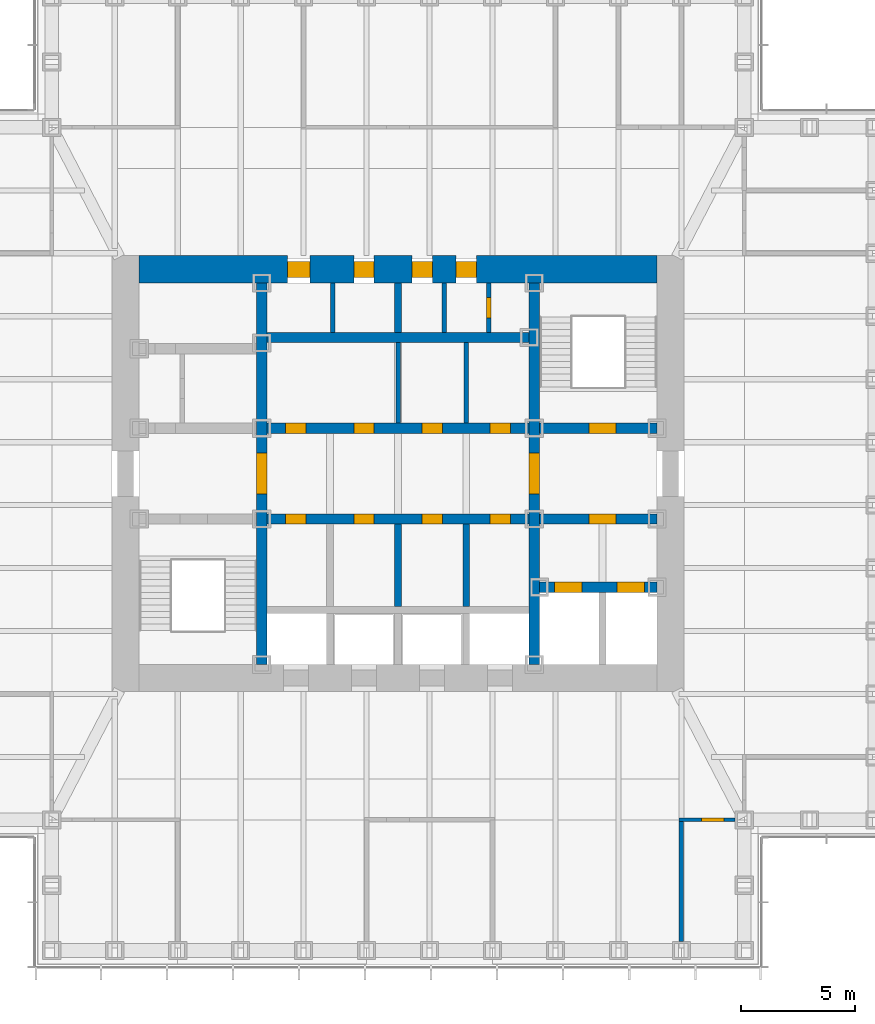
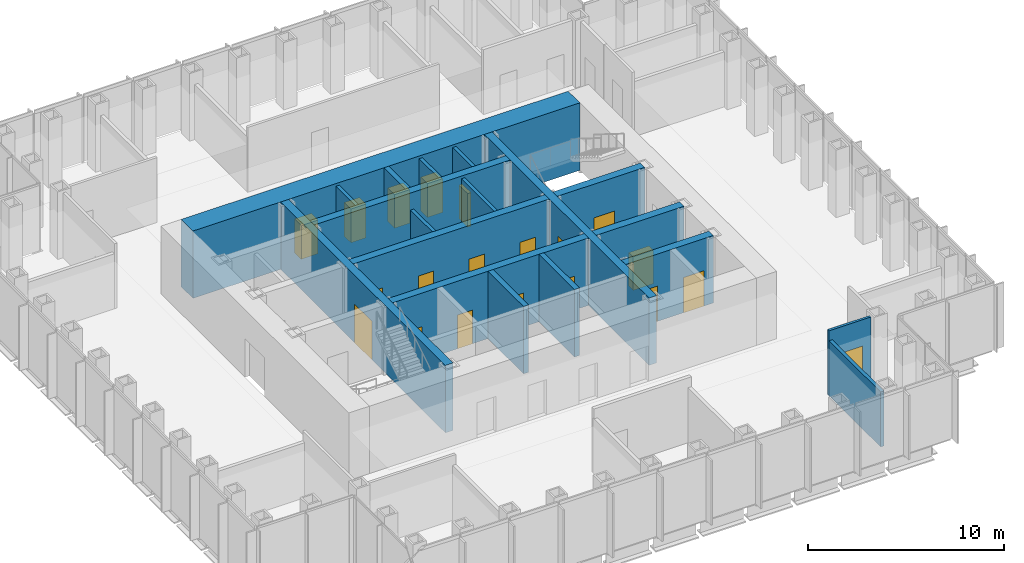
# One storey, part 9 of 16: 20 doors, 19 walls, 20 openings.
"""IFC4 building model written with IfcOpenShell, lengths in metres."""

from ifc_helpers import new_model, si_unit, direction, frame, frame_2d, origin, place, context, subcontext, project, spatial, rectangle, extrude, material, layer, layer_set, type_object, element, fill, save


model = new_model("IFC4")

# Units and contexts
model_context = context("Model", 3, precision=1e-05, world=origin(), true_north=direction((0.0, 1.0)))
body_context = subcontext(model_context, "Body", "Model", "MODEL_VIEW")
ifc_project = project(units=[si_unit("LENGTHUNIT", "METRE"), si_unit("AREAUNIT", "SQUARE_METRE"), si_unit("VOLUMEUNIT", "CUBIC_METRE"), si_unit("PLANEANGLEUNIT", "RADIAN"), si_unit("MASSUNIT", "GRAM", prefix="KILO")], contexts=[model_context])

# Site, building, storey
site_placement = place(None, origin())
site = spatial("IfcSite", under=ifc_project, at=site_placement, CompositionType="ELEMENT")
building_placement = place(site_placement, origin())
building = spatial("IfcBuilding", under=site, at=building_placement, Name="Daluyong Arena Tower", CompositionType="ELEMENT")
storey_placement = place(building_placement, frame((0.0, 0.0, 254.5)))
storey = spatial("IfcBuildingStorey", under=building, at=storey_placement, Name="L57", CompositionType="ELEMENT", Elevation=254.5)

# Wall, opening, door
ifc_material_1 = material(Name="Concrete fc' 45 MPa", Category="concrete")
ifc_layer_1 = layer(ifc_material_1, 0.449951171875)
ifc_layer_set_1 = layer_set([ifc_layer_1], Name="Concrete fc' 45 MPa")
wall_type_1 = type_object("IfcWallType", Name="Core inner wall 450", PredefinedType="SHEAR", material=ifc_layer_set_1)
wall_1_placement = place(storey_placement, frame((50.0, 71.60009765625, 0.0), z_axis=(0.0, 0.0, 1.0), x_axis=(0.0, 1.0, 0.0)))
wall_1 = element("IfcWall", 1, at=wall_1_placement, inside=storey, type_object=wall_type_1, Name="core inner wall at L57", PredefinedType="SHEAR", context=body_context, shape_type="SweptSolid", body=[
    extrude(rectangle(XDim=16.7998046875, YDim=0.449951171875, at=frame_2d((8.39990234375, 0.0))), origin(), (0.0, 0.0, 1.0), 4.199951171875),
])
opening_1_placement = place(wall_1_placement, frame((7.5, 0.0, 0.0)))
opening_1 = element("IfcOpeningElement", 2, at=opening_1_placement, cuts=wall_1, Name="Opening 57021", PredefinedType="OPENING", context=body_context, shape_type="SweptSolid", body=[
    extrude(rectangle(XDim=1.800048828125, YDim=2.39990234375, at=frame_2d((0.89990234375, 1.199951171875))), frame((0.0, 0.23486328125, 0.0), z_axis=(0.0, -1.0, 0.0), x_axis=(1.0, 0.0, 0.0)), (0.0, 0.0, 1.0), 0.469970703125),
])
ifc_material_2 = material(Name="Steel door, fire rated", Category="steel")
door_type_1 = type_object("IfcDoorType", Name="Lift lobby opening door 1800", OperationType="DOUBLE_DOOR_SINGLE_SWING", PredefinedType="DOOR", material=ifc_material_2)
door_1_placement = place(opening_1_placement, origin())
door_1 = element("IfcDoor", 3, at=door_1_placement, inside=storey, type_object=door_type_1, Name="lift lobby door west 57021", OperationType="DOUBLE_DOOR_SINGLE_SWING", OverallHeight=2.39990234375, OverallWidth=1.800048828125, PredefinedType="DOOR", context=body_context, shape_type="SweptSolid", body=[
    extrude(rectangle(XDim=1.800048828125, YDim=2.39990234375, at=frame_2d((0.89990234375, 1.199951171875))), frame((0.0, 0.224609375, 0.0), z_axis=(0.0, -1.0, 0.0), x_axis=(1.0, 0.0, 0.0)), (0.0, 0.0, 1.0), 0.449462890625),
])
fill(opening_1, door_1)

wall_2_placement = place(storey_placement, frame((62.0, 71.60009765625, 0.0), z_axis=(0.0, 0.0, 1.0), x_axis=(0.0, 1.0, 0.0)))
wall_2 = element("IfcWall", 4, at=wall_2_placement, inside=storey, type_object=wall_type_1, Name="core inner wall at L57", PredefinedType="SHEAR", context=body_context, shape_type="SweptSolid", body=[
    extrude(rectangle(XDim=16.7998046875, YDim=0.449951171875, at=frame_2d((8.39990234375, 0.0))), origin(), (0.0, 0.0, 1.0), 4.199951171875),
])
opening_2_placement = place(wall_2_placement, frame((7.5, 0.0, 0.0)))
opening_2 = element("IfcOpeningElement", 5, at=opening_2_placement, cuts=wall_2, Name="Opening 57022", PredefinedType="OPENING", context=body_context, shape_type="SweptSolid", body=[
    extrude(rectangle(XDim=1.800048828125, YDim=2.39990234375, at=frame_2d((0.89990234375, 1.199951171875))), frame((0.0, 0.23486328125, 0.0), z_axis=(0.0, -1.0, 0.0), x_axis=(1.0, 0.0, 0.0)), (0.0, 0.0, 1.0), 0.469970703125),
])
door_2_placement = place(opening_2_placement, origin())
door_2 = element("IfcDoor", 6, at=door_2_placement, inside=storey, type_object=door_type_1, Name="lift lobby door east 57022", OperationType="DOUBLE_DOOR_SINGLE_SWING", OverallHeight=2.39990234375, OverallWidth=1.800048828125, PredefinedType="DOOR", context=body_context, shape_type="SweptSolid", body=[
    extrude(rectangle(XDim=1.800048828125, YDim=2.39990234375, at=frame_2d((0.89990234375, 1.199951171875))), frame((0.0, 0.224609375, 0.0), z_axis=(0.0, -1.0, 0.0), x_axis=(1.0, 0.0, 0.0)), (0.0, 0.0, 1.0), 0.449462890625),
])
fill(opening_2, door_2)

# Wall, openings, doors
wall_3_placement = place(storey_placement, frame((62.22509765625, 75.0, 0.0), z_axis=(0.0, 0.0, 1.0), x_axis=(1.0, 0.0, 0.0)))
wall_3 = element("IfcWall", 7, at=wall_3_placement, inside=storey, type_object=wall_type_1, Name="core inner wall at L57", PredefinedType="SHEAR", context=body_context, shape_type="SweptSolid", body=[
    extrude(rectangle(XDim=5.1748046875, YDim=0.449951171875, at=frame_2d((2.58740234375, 0.0))), origin(), (0.0, 0.0, 1.0), 4.199951171875),
])
opening_3_placement = place(wall_3_placement, frame((0.675048828125, 0.0, 0.0)))
opening_3 = element("IfcOpeningElement", 8, at=opening_3_placement, cuts=wall_3, Name="Opening 57028", PredefinedType="OPENING", context=body_context, shape_type="SweptSolid", body=[
    extrude(rectangle(XDim=1.199951171875, YDim=2.199951171875, at=frame_2d((0.60009765625, 1.10009765625))), frame((0.0, 0.23486328125, 0.0), z_axis=(0.0, -1.0, 0.0), x_axis=(1.0, 0.0, 0.0)), (0.0, 0.0, 1.0), 0.469970703125),
])
opening_4_placement = place(wall_3_placement, frame((3.425048828125, 0.0, 0.0)))
opening_4 = element("IfcOpeningElement", 9, at=opening_4_placement, cuts=wall_3, Name="Opening 57029", PredefinedType="OPENING", context=body_context, shape_type="SweptSolid", body=[
    extrude(rectangle(XDim=1.199951171875, YDim=2.199951171875, at=frame_2d((0.60009765625, 1.10009765625))), frame((0.0, 0.23486328125, 0.0), z_axis=(0.0, -1.0, 0.0), x_axis=(1.0, 0.0, 0.0)), (0.0, 0.0, 1.0), 0.469970703125),
])
ifc_material_3 = material(Name="Steel door, fire rated", Category="steel")
door_type_2 = type_object("IfcDoorType", Name="Firefighting lift landing door 1200", OperationType="SLIDING_TO_LEFT", PredefinedType="DOOR", material=ifc_material_3)
door_3_placement = place(opening_3_placement, origin())
door_3 = element("IfcDoor", 10, at=door_3_placement, inside=storey, type_object=door_type_2, Name="firefighting lift landing door F1 57028", OperationType="SLIDING_TO_LEFT", OverallHeight=2.199951171875, OverallWidth=1.199951171875, PredefinedType="DOOR", context=body_context, shape_type="SweptSolid", body=[
    extrude(rectangle(XDim=1.199951171875, YDim=2.199951171875, at=frame_2d((0.60009765625, 1.10009765625))), frame((0.0, 0.224609375, 0.0), z_axis=(0.0, -1.0, 0.0), x_axis=(1.0, 0.0, 0.0)), (0.0, 0.0, 1.0), 0.449462890625),
])
fill(opening_3, door_3)
door_4_placement = place(opening_4_placement, origin())
door_4 = element("IfcDoor", 11, at=door_4_placement, inside=storey, type_object=door_type_2, Name="firefighting lift landing door F2 57029", OperationType="SLIDING_TO_LEFT", OverallHeight=2.199951171875, OverallWidth=1.199951171875, PredefinedType="DOOR", context=body_context, shape_type="SweptSolid", body=[
    extrude(rectangle(XDim=1.199951171875, YDim=2.199951171875, at=frame_2d((0.60009765625, 1.10009765625))), frame((0.0, 0.224609375, 0.0), z_axis=(0.0, -1.0, 0.0), x_axis=(1.0, 0.0, 0.0)), (0.0, 0.0, 1.0), 0.449462890625),
])
fill(opening_4, door_4)

# Wall, opening, door
wall_4_placement = place(storey_placement, frame((62.22509765625, 78.0, 0.0), z_axis=(0.0, 0.0, 1.0), x_axis=(1.0, 0.0, 0.0)))
wall_4 = element("IfcWall", 12, at=wall_4_placement, inside=storey, type_object=wall_type_1, Name="core inner wall at L57", PredefinedType="SHEAR", context=body_context, shape_type="SweptSolid", body=[
    extrude(rectangle(XDim=5.1748046875, YDim=0.449951171875, at=frame_2d((2.58740234375, 0.0))), origin(), (0.0, 0.0, 1.0), 4.199951171875),
])
opening_5_placement = place(wall_4_placement, frame((2.175048828125, 0.0, 0.0)))
opening_5 = element("IfcOpeningElement", 13, at=opening_5_placement, cuts=wall_4, Name="Opening 57023", PredefinedType="OPENING", context=body_context, shape_type="SweptSolid", body=[
    extrude(rectangle(XDim=1.199951171875, YDim=2.10009765625, at=frame_2d((0.60009765625, 1.050048828125))), frame((0.0, 0.23486328125, 0.0), z_axis=(0.0, -1.0, 0.0), x_axis=(1.0, 0.0, 0.0)), (0.0, 0.0, 1.0), 0.469970703125),
])
ifc_material_4 = material(Name="Steel door, fire rated", Category="steel")
door_type_3 = type_object("IfcDoorType", Name="Firefighting lobby door 1200", OperationType="SINGLE_SWING_RIGHT", PredefinedType="DOOR", material=ifc_material_4)
door_5_placement = place(opening_5_placement, origin())
door_5 = element("IfcDoor", 14, at=door_5_placement, inside=storey, type_object=door_type_3, Name="firefighting lobby door 57023", OperationType="SINGLE_SWING_RIGHT", OverallHeight=2.10009765625, OverallWidth=1.199951171875, PredefinedType="DOOR", context=body_context, shape_type="SweptSolid", body=[
    extrude(rectangle(XDim=1.199951171875, YDim=2.10009765625, at=frame_2d((0.60009765625, 1.050048828125))), frame((0.0, 0.224609375, 0.0), z_axis=(0.0, -1.0, 0.0), x_axis=(1.0, 0.0, 0.0)), (0.0, 0.0, 1.0), 0.449462890625),
])
fill(opening_5, door_5)

wall_5_placement = place(storey_placement, frame((62.22509765625, 82.0, 0.0), z_axis=(0.0, 0.0, 1.0), x_axis=(1.0, 0.0, 0.0)))
wall_5 = element("IfcWall", 15, at=wall_5_placement, inside=storey, type_object=wall_type_1, Name="core inner wall at L57", PredefinedType="SHEAR", context=body_context, shape_type="SweptSolid", body=[
    extrude(rectangle(XDim=5.1748046875, YDim=0.449951171875, at=frame_2d((2.58740234375, 0.0))), origin(), (0.0, 0.0, 1.0), 4.199951171875),
])
opening_6_placement = place(wall_5_placement, frame((2.175048828125, 0.0, 0.0)))
opening_6 = element("IfcOpeningElement", 16, at=opening_6_placement, cuts=wall_5, Name="Opening 57018", PredefinedType="OPENING", context=body_context, shape_type="SweptSolid", body=[
    extrude(rectangle(XDim=1.199951171875, YDim=2.10009765625, at=frame_2d((0.60009765625, 1.050048828125))), frame((0.0, 0.23486328125, 0.0), z_axis=(0.0, -1.0, 0.0), x_axis=(1.0, 0.0, 0.0)), (0.0, 0.0, 1.0), 0.469970703125),
])
ifc_material_5 = material(Name="Steel door, fire rated", Category="steel")
door_type_4 = type_object("IfcDoorType", Name="Stair door 1200", OperationType="SINGLE_SWING_LEFT", PredefinedType="DOOR", material=ifc_material_5)
door_6_placement = place(opening_6_placement, origin())
door_6 = element("IfcDoor", 17, at=door_6_placement, inside=storey, type_object=door_type_4, Name="stair B door 57018", OperationType="SINGLE_SWING_LEFT", OverallHeight=2.10009765625, OverallWidth=1.199951171875, PredefinedType="DOOR", context=body_context, shape_type="SweptSolid", body=[
    extrude(rectangle(XDim=1.199951171875, YDim=2.10009765625, at=frame_2d((0.60009765625, 1.050048828125))), frame((0.0, 0.224609375, 0.0), z_axis=(0.0, -1.0, 0.0), x_axis=(1.0, 0.0, 0.0)), (0.0, 0.0, 1.0), 0.449462890625),
])
fill(opening_6, door_6)

# Wall, openings, doors
wall_6_placement = place(storey_placement, frame((50.22509765625, 78.0, 0.0), z_axis=(0.0, 0.0, 1.0), x_axis=(1.0, 0.0, 0.0)))
wall_6 = element("IfcWall", 18, at=wall_6_placement, inside=storey, type_object=wall_type_1, Name="core inner wall at L57", PredefinedType="SHEAR", context=body_context, shape_type="SweptSolid", body=[
    extrude(rectangle(XDim=11.5498046875, YDim=0.449951171875, at=frame_2d((5.77490234375, 0.0))), origin(), (0.0, 0.0, 1.0), 4.199951171875),
])
opening_7_placement = place(wall_6_placement, frame((0.824951171875, 0.0, 0.0)))
opening_7 = element("IfcOpeningElement", 19, at=opening_7_placement, cuts=wall_6, Name="Opening 57009", PredefinedType="OPENING", context=body_context, shape_type="SweptSolid", body=[
    extrude(rectangle(XDim=0.89990234375, YDim=2.10009765625, at=frame_2d((0.449951171875, 1.050048828125))), frame((0.0, 0.23486328125, 0.0), z_axis=(0.0, -1.0, 0.0), x_axis=(1.0, 0.0, 0.0)), (0.0, 0.0, 1.0), 0.469970703125),
])
opening_8_placement = place(wall_6_placement, frame((3.824951171875, 0.0, 0.0)))
opening_8 = element("IfcOpeningElement", 20, at=opening_8_placement, cuts=wall_6, Name="Opening 57010", PredefinedType="OPENING", context=body_context, shape_type="SweptSolid", body=[
    extrude(rectangle(XDim=0.89990234375, YDim=2.10009765625, at=frame_2d((0.449951171875, 1.050048828125))), frame((0.0, 0.23486328125, 0.0), z_axis=(0.0, -1.0, 0.0), x_axis=(1.0, 0.0, 0.0)), (0.0, 0.0, 1.0), 0.469970703125),
])
opening_9_placement = place(wall_6_placement, frame((6.824951171875, 0.0, 0.0)))
opening_9 = element("IfcOpeningElement", 21, at=opening_9_placement, cuts=wall_6, Name="Opening 57011", PredefinedType="OPENING", context=body_context, shape_type="SweptSolid", body=[
    extrude(rectangle(XDim=0.89990234375, YDim=2.10009765625, at=frame_2d((0.449951171875, 1.050048828125))), frame((0.0, 0.23486328125, 0.0), z_axis=(0.0, -1.0, 0.0), x_axis=(1.0, 0.0, 0.0)), (0.0, 0.0, 1.0), 0.469970703125),
])
opening_10_placement = place(wall_6_placement, frame((9.824951171875, 0.0, 0.0)))
opening_10 = element("IfcOpeningElement", 22, at=opening_10_placement, cuts=wall_6, Name="Opening 57012", PredefinedType="OPENING", context=body_context, shape_type="SweptSolid", body=[
    extrude(rectangle(XDim=0.89990234375, YDim=2.10009765625, at=frame_2d((0.449951171875, 1.050048828125))), frame((0.0, 0.23486328125, 0.0), z_axis=(0.0, -1.0, 0.0), x_axis=(1.0, 0.0, 0.0)), (0.0, 0.0, 1.0), 0.469970703125),
])
ifc_material_6 = material(Name="Steel door, fire rated", Category="steel")
door_type_5 = type_object("IfcDoorType", Name="Core room door 900", OperationType="SINGLE_SWING_LEFT", PredefinedType="DOOR", material=ifc_material_6)
door_7_placement = place(opening_8_placement, origin())
door_7 = element("IfcDoor", 23, at=door_7_placement, inside=storey, type_object=door_type_5, Name="staff pantry door 57010", OperationType="SINGLE_SWING_LEFT", OverallHeight=2.10009765625, OverallWidth=0.89990234375, PredefinedType="DOOR", context=body_context, shape_type="SweptSolid", body=[
    extrude(rectangle(XDim=0.89990234375, YDim=2.10009765625, at=frame_2d((0.449951171875, 1.050048828125))), frame((0.0, 0.224609375, 0.0), z_axis=(0.0, -1.0, 0.0), x_axis=(1.0, 0.0, 0.0)), (0.0, 0.0, 1.0), 0.449462890625),
])
fill(opening_8, door_7)
door_8_placement = place(opening_9_placement, origin())
door_8 = element("IfcDoor", 24, at=door_8_placement, inside=storey, type_object=door_type_5, Name="tea point door 57011", OperationType="SINGLE_SWING_LEFT", OverallHeight=2.10009765625, OverallWidth=0.89990234375, PredefinedType="DOOR", context=body_context, shape_type="SweptSolid", body=[
    extrude(rectangle(XDim=0.89990234375, YDim=2.10009765625, at=frame_2d((0.449951171875, 1.050048828125))), frame((0.0, 0.224609375, 0.0), z_axis=(0.0, -1.0, 0.0), x_axis=(1.0, 0.0, 0.0)), (0.0, 0.0, 1.0), 0.449462890625),
])
fill(opening_9, door_8)
ifc_material_7 = material(Name="Steel door, fire rated", Category="steel")
door_type_6 = type_object("IfcDoorType", Name="Core store door 900", OperationType="SINGLE_SWING_LEFT", PredefinedType="DOOR", material=ifc_material_7)
door_9_placement = place(opening_7_placement, origin())
door_9 = element("IfcDoor", 25, at=door_9_placement, inside=storey, type_object=door_type_6, Name="stationery store door 57009", OperationType="SINGLE_SWING_LEFT", OverallHeight=2.10009765625, OverallWidth=0.89990234375, PredefinedType="DOOR", context=body_context, shape_type="SweptSolid", body=[
    extrude(rectangle(XDim=0.89990234375, YDim=2.10009765625, at=frame_2d((0.449951171875, 1.050048828125))), frame((0.0, 0.224609375, 0.0), z_axis=(0.0, -1.0, 0.0), x_axis=(1.0, 0.0, 0.0)), (0.0, 0.0, 1.0), 0.449462890625),
])
fill(opening_7, door_9)
door_10_placement = place(opening_10_placement, origin())
door_10 = element("IfcDoor", 26, at=door_10_placement, inside=storey, type_object=door_type_6, Name="furniture store door 57012", OperationType="SINGLE_SWING_LEFT", OverallHeight=2.10009765625, OverallWidth=0.89990234375, PredefinedType="DOOR", context=body_context, shape_type="SweptSolid", body=[
    extrude(rectangle(XDim=0.89990234375, YDim=2.10009765625, at=frame_2d((0.449951171875, 1.050048828125))), frame((0.0, 0.224609375, 0.0), z_axis=(0.0, -1.0, 0.0), x_axis=(1.0, 0.0, 0.0)), (0.0, 0.0, 1.0), 0.449462890625),
])
fill(opening_10, door_10)

wall_7_placement = place(storey_placement, frame((50.22509765625, 82.0, 0.0), z_axis=(0.0, 0.0, 1.0), x_axis=(1.0, 0.0, 0.0)))
wall_7 = element("IfcWall", 27, at=wall_7_placement, inside=storey, type_object=wall_type_1, Name="core inner wall at L57", PredefinedType="SHEAR", context=body_context, shape_type="SweptSolid", body=[
    extrude(rectangle(XDim=11.5498046875, YDim=0.449951171875, at=frame_2d((5.77490234375, 0.0))), origin(), (0.0, 0.0, 1.0), 4.199951171875),
])
opening_11_placement = place(wall_7_placement, frame((0.824951171875, 0.0, 0.0)))
opening_11 = element("IfcOpeningElement", 28, at=opening_11_placement, cuts=wall_7, Name="Opening 57013", PredefinedType="OPENING", context=body_context, shape_type="SweptSolid", body=[
    extrude(rectangle(XDim=0.89990234375, YDim=2.10009765625, at=frame_2d((0.449951171875, 1.050048828125))), frame((0.0, 0.23486328125, 0.0), z_axis=(0.0, -1.0, 0.0), x_axis=(1.0, 0.0, 0.0)), (0.0, 0.0, 1.0), 0.469970703125),
])
opening_12_placement = place(wall_7_placement, frame((3.824951171875, 0.0, 0.0)))
opening_12 = element("IfcOpeningElement", 29, at=opening_12_placement, cuts=wall_7, Name="Opening 57014", PredefinedType="OPENING", context=body_context, shape_type="SweptSolid", body=[
    extrude(rectangle(XDim=0.89990234375, YDim=2.10009765625, at=frame_2d((0.449951171875, 1.050048828125))), frame((0.0, 0.23486328125, 0.0), z_axis=(0.0, -1.0, 0.0), x_axis=(1.0, 0.0, 0.0)), (0.0, 0.0, 1.0), 0.469970703125),
])
opening_13_placement = place(wall_7_placement, frame((6.824951171875, 0.0, 0.0)))
opening_13 = element("IfcOpeningElement", 30, at=opening_13_placement, cuts=wall_7, Name="Opening 57015", PredefinedType="OPENING", context=body_context, shape_type="SweptSolid", body=[
    extrude(rectangle(XDim=0.89990234375, YDim=2.10009765625, at=frame_2d((0.449951171875, 1.050048828125))), frame((0.0, 0.23486328125, 0.0), z_axis=(0.0, -1.0, 0.0), x_axis=(1.0, 0.0, 0.0)), (0.0, 0.0, 1.0), 0.469970703125),
])
opening_14_placement = place(wall_7_placement, frame((9.824951171875, 0.0, 0.0)))
opening_14 = element("IfcOpeningElement", 31, at=opening_14_placement, cuts=wall_7, Name="Opening 57016", PredefinedType="OPENING", context=body_context, shape_type="SweptSolid", body=[
    extrude(rectangle(XDim=0.89990234375, YDim=2.10009765625, at=frame_2d((0.449951171875, 1.050048828125))), frame((0.0, 0.23486328125, 0.0), z_axis=(0.0, -1.0, 0.0), x_axis=(1.0, 0.0, 0.0)), (0.0, 0.0, 1.0), 0.469970703125),
])
door_11_placement = place(opening_11_placement, origin())
door_11 = element("IfcDoor", 32, at=door_11_placement, inside=storey, type_object=door_type_5, Name="print room door 57013", OperationType="SINGLE_SWING_LEFT", OverallHeight=2.10009765625, OverallWidth=0.89990234375, PredefinedType="DOOR", context=body_context, shape_type="SweptSolid", body=[
    extrude(rectangle(XDim=0.89990234375, YDim=2.10009765625, at=frame_2d((0.449951171875, 1.050048828125))), frame((0.0, 0.224609375, 0.0), z_axis=(0.0, -1.0, 0.0), x_axis=(1.0, 0.0, 0.0)), (0.0, 0.0, 1.0), 0.449462890625),
])
fill(opening_11, door_11)
door_12_placement = place(opening_12_placement, origin())
door_12 = element("IfcDoor", 33, at=door_12_placement, inside=storey, type_object=door_type_5, Name="print room door 57014", OperationType="SINGLE_SWING_LEFT", OverallHeight=2.10009765625, OverallWidth=0.89990234375, PredefinedType="DOOR", context=body_context, shape_type="SweptSolid", body=[
    extrude(rectangle(XDim=0.89990234375, YDim=2.10009765625, at=frame_2d((0.449951171875, 1.050048828125))), frame((0.0, 0.224609375, 0.0), z_axis=(0.0, -1.0, 0.0), x_axis=(1.0, 0.0, 0.0)), (0.0, 0.0, 1.0), 0.449462890625),
])
fill(opening_12, door_12)
door_13_placement = place(opening_14_placement, origin())
door_13 = element("IfcDoor", 34, at=door_13_placement, inside=storey, type_object=door_type_5, Name="mail room door 57016", OperationType="SINGLE_SWING_LEFT", OverallHeight=2.10009765625, OverallWidth=0.89990234375, PredefinedType="DOOR", context=body_context, shape_type="SweptSolid", body=[
    extrude(rectangle(XDim=0.89990234375, YDim=2.10009765625, at=frame_2d((0.449951171875, 1.050048828125))), frame((0.0, 0.224609375, 0.0), z_axis=(0.0, -1.0, 0.0), x_axis=(1.0, 0.0, 0.0)), (0.0, 0.0, 1.0), 0.449462890625),
])
fill(opening_14, door_13)
door_14_placement = place(opening_13_placement, origin())
door_14 = element("IfcDoor", 35, at=door_14_placement, inside=storey, type_object=door_type_6, Name="security store door 57015", OperationType="SINGLE_SWING_LEFT", OverallHeight=2.10009765625, OverallWidth=0.89990234375, PredefinedType="DOOR", context=body_context, shape_type="SweptSolid", body=[
    extrude(rectangle(XDim=0.89990234375, YDim=2.10009765625, at=frame_2d((0.449951171875, 1.050048828125))), frame((0.0, 0.224609375, 0.0), z_axis=(0.0, -1.0, 0.0), x_axis=(1.0, 0.0, 0.0)), (0.0, 0.0, 1.0), 0.449462890625),
])
fill(opening_13, door_14)

# Wall
wall_8_placement = place(storey_placement, frame((50.22509765625, 86.0, 0.0), z_axis=(0.0, 0.0, 1.0), x_axis=(1.0, 0.0, 0.0)))
element("IfcWall", 36, at=wall_8_placement, inside=storey, type_object=wall_type_1, Name="core inner wall at L57", PredefinedType="SHEAR", context=body_context, shape_type="SweptSolid", body=[
    extrude(rectangle(XDim=11.5498046875, YDim=0.449951171875, at=frame_2d((5.77490234375, 0.0))), origin(), (0.0, 0.0, 1.0), 4.199951171875),
])

# Wall, openings, doors
ifc_material_8 = material(Name="Concrete fc' 60 MPa", Category="concrete")
ifc_layer_2 = layer(ifc_material_8, 1.199951171875)
ifc_layer_set_2 = layer_set([ifc_layer_2], Name="Concrete fc' 60 MPa")
wall_type_2 = type_object("IfcWallType", Name="Core wall 1200", PredefinedType="SHEAR", material=ifc_layer_set_2)
wall_9_placement = place(storey_placement, frame((44.60009765625, 89.0, 0.0), z_axis=(0.0, 0.0, 1.0), x_axis=(1.0, 0.0, 0.0)))
wall_9 = element("IfcWall", 37, at=wall_9_placement, inside=storey, type_object=wall_type_2, Name="core wall at L57", PredefinedType="SHEAR", context=body_context, shape_type="SweptSolid", body=[
    extrude(rectangle(XDim=22.7998046875, YDim=1.199951171875, at=frame_2d((11.39990234375, 0.0))), origin(), (0.0, 0.0, 1.0), 4.199951171875),
])
opening_15_placement = place(wall_9_placement, frame((6.52490234375, 0.0, 0.0)))
opening_15 = element("IfcOpeningElement", 38, at=opening_15_placement, cuts=wall_9, Name="Opening 57004", PredefinedType="OPENING", context=body_context, shape_type="SweptSolid", body=[
    extrude(rectangle(XDim=1.0, YDim=2.10009765625, at=frame_2d((0.5, 1.050048828125))), frame((0.0, 0.60986328125, 0.0), z_axis=(0.0, -1.0, 0.0), x_axis=(1.0, 0.0, 0.0)), (0.0, 0.0, 1.0), 1.219970703125),
])
opening_16_placement = place(wall_9_placement, frame((9.449951171875, 0.0, 0.0)))
opening_16 = element("IfcOpeningElement", 39, at=opening_16_placement, cuts=wall_9, Name="Opening 57005", PredefinedType="OPENING", context=body_context, shape_type="SweptSolid", body=[
    extrude(rectangle(XDim=0.89990234375, YDim=2.10009765625, at=frame_2d((0.449951171875, 1.050048828125))), frame((0.0, 0.60986328125, 0.0), z_axis=(0.0, -1.0, 0.0), x_axis=(1.0, 0.0, 0.0)), (0.0, 0.0, 1.0), 1.219970703125),
])
opening_17_placement = place(wall_9_placement, frame((12.02490234375, 0.0, 0.0)))
opening_17 = element("IfcOpeningElement", 40, at=opening_17_placement, cuts=wall_9, Name="Opening 57006", PredefinedType="OPENING", context=body_context, shape_type="SweptSolid", body=[
    extrude(rectangle(XDim=0.89990234375, YDim=2.10009765625, at=frame_2d((0.449951171875, 1.050048828125))), frame((0.0, 0.60986328125, 0.0), z_axis=(0.0, -1.0, 0.0), x_axis=(1.0, 0.0, 0.0)), (0.0, 0.0, 1.0), 1.219970703125),
])
opening_18_placement = place(wall_9_placement, frame((13.96240234375, 0.0, 0.0)))
opening_18 = element("IfcOpeningElement", 41, at=opening_18_placement, cuts=wall_9, Name="Opening 57007", PredefinedType="OPENING", context=body_context, shape_type="SweptSolid", body=[
    extrude(rectangle(XDim=0.89990234375, YDim=2.10009765625, at=frame_2d((0.449951171875, 1.050048828125))), frame((0.0, 0.60986328125, 0.0), z_axis=(0.0, -1.0, 0.0), x_axis=(1.0, 0.0, 0.0)), (0.0, 0.0, 1.0), 1.219970703125),
])
ifc_material_9 = material(Name="Timber door", Category="wood")
door_type_7 = type_object("IfcDoorType", Name="Accessible toilet door 1000", OperationType="SINGLE_SWING_LEFT", PredefinedType="DOOR", material=ifc_material_9)
door_15_placement = place(opening_15_placement, origin())
door_15 = element("IfcDoor", 42, at=door_15_placement, inside=storey, type_object=door_type_7, Name="accessible toilet door 57004", OperationType="SINGLE_SWING_LEFT", OverallHeight=2.10009765625, OverallWidth=1.0, PredefinedType="DOOR", context=body_context, shape_type="SweptSolid", body=[
    extrude(rectangle(XDim=1.0, YDim=2.10009765625, at=frame_2d((0.5, 1.050048828125))), frame((0.0, 0.35009765625, 0.0), z_axis=(0.0, -1.0, 0.0), x_axis=(1.0, 0.0, 0.0)), (0.0, 0.0, 1.0), 0.699951171875),
])
fill(opening_15, door_15)
door_16_placement = place(opening_17_placement, origin())
door_16 = element("IfcDoor", 43, at=door_16_placement, inside=storey, type_object=door_type_5, Name="vending room door 57006", OperationType="SINGLE_SWING_LEFT", OverallHeight=2.10009765625, OverallWidth=0.89990234375, PredefinedType="DOOR", context=body_context, shape_type="SweptSolid", body=[
    extrude(rectangle(XDim=0.89990234375, YDim=2.10009765625, at=frame_2d((0.449951171875, 1.050048828125))), frame((0.0, 0.35009765625, 0.0), z_axis=(0.0, -1.0, 0.0), x_axis=(1.0, 0.0, 0.0)), (0.0, 0.0, 1.0), 0.699951171875),
])
fill(opening_17, door_16)
door_17_placement = place(opening_16_placement, origin())
door_17 = element("IfcDoor", 44, at=door_17_placement, inside=storey, type_object=door_type_6, Name="facilities store door 57005", OperationType="SINGLE_SWING_LEFT", OverallHeight=2.10009765625, OverallWidth=0.89990234375, PredefinedType="DOOR", context=body_context, shape_type="SweptSolid", body=[
    extrude(rectangle(XDim=0.89990234375, YDim=2.10009765625, at=frame_2d((0.449951171875, 1.050048828125))), frame((0.0, 0.35009765625, 0.0), z_axis=(0.0, -1.0, 0.0), x_axis=(1.0, 0.0, 0.0)), (0.0, 0.0, 1.0), 0.699951171875),
])
fill(opening_16, door_17)
door_18_placement = place(opening_18_placement, origin())
door_18 = element("IfcDoor", 45, at=door_18_placement, inside=storey, type_object=door_type_6, Name="tenant store door 57007", OperationType="SINGLE_SWING_LEFT", OverallHeight=2.10009765625, OverallWidth=0.89990234375, PredefinedType="DOOR", context=body_context, shape_type="SweptSolid", body=[
    extrude(rectangle(XDim=0.89990234375, YDim=2.10009765625, at=frame_2d((0.449951171875, 1.050048828125))), frame((0.0, 0.35009765625, 0.0), z_axis=(0.0, -1.0, 0.0), x_axis=(1.0, 0.0, 0.0)), (0.0, 0.0, 1.0), 0.699951171875),
])
fill(opening_18, door_18)

# Wall
ifc_material_10 = material(Name="Concrete block partition, fire rated", Category="concrete")
ifc_layer_3 = layer(ifc_material_10, 0.199951171875)
ifc_layer_set_3 = layer_set([ifc_layer_3], Name="Concrete block partition, fire rated")
wall_type_3 = type_object("IfcWallType", Name="Fire-rated partition 200", PredefinedType="PARTITIONING", material=ifc_layer_set_3)
wall_10_placement = place(storey_placement, frame((53.125, 86.22509765625, 0.0), z_axis=(0.0, 0.0, 1.0), x_axis=(0.0, 1.0, 0.0)))
element("IfcWall", 46, at=wall_10_placement, inside=storey, type_object=wall_type_3, Name="core room partition at L57", PredefinedType="PARTITIONING", context=body_context, shape_type="SweptSolid", body=[
    extrude(rectangle(XDim=2.1748046875, YDim=0.199951171875, at=frame_2d((1.08740234375, 0.0))), origin(), (0.0, 0.0, 1.0), 4.0400390625),
])

# Wall, opening, door
wall_11_placement = place(storey_placement, frame((60.0, 86.22509765625, 0.0), z_axis=(0.0, 0.0, 1.0), x_axis=(0.0, 1.0, 0.0)))
wall_11 = element("IfcWall", 47, at=wall_11_placement, inside=storey, type_object=wall_type_3, Name="electrical riser enclosure at L57", PredefinedType="PARTITIONING", context=body_context, shape_type="SweptSolid", body=[
    extrude(rectangle(XDim=2.1748046875, YDim=0.199951171875, at=frame_2d((1.08740234375, 0.0))), origin(), (0.0, 0.0, 1.0), 4.0400390625),
])
opening_19_placement = place(wall_11_placement, frame((0.637451171875, 0.0, 0.0)))
opening_19 = element("IfcOpeningElement", 48, at=opening_19_placement, cuts=wall_11, Name="Opening 57008", PredefinedType="OPENING", context=body_context, shape_type="SweptSolid", body=[
    extrude(rectangle(XDim=0.89990234375, YDim=2.10009765625, at=frame_2d((0.449951171875, 1.050048828125))), frame((0.0, 0.10986328125, 0.0), z_axis=(0.0, -1.0, 0.0), x_axis=(1.0, 0.0, 0.0)), (0.0, 0.0, 1.0), 0.219970703125),
])
ifc_material_11 = material(Name="Steel door, fire rated", Category="steel")
door_type_8 = type_object("IfcDoorType", Name="Riser door 900", OperationType="SINGLE_SWING_LEFT", PredefinedType="DOOR", material=ifc_material_11)
door_19_placement = place(opening_19_placement, origin())
door_19 = element("IfcDoor", 49, at=door_19_placement, inside=storey, type_object=door_type_8, Name="riser door 57008", OperationType="SINGLE_SWING_LEFT", OverallHeight=2.10009765625, OverallWidth=0.89990234375, PredefinedType="DOOR", context=body_context, shape_type="SweptSolid", body=[
    extrude(rectangle(XDim=0.89990234375, YDim=2.10009765625, at=frame_2d((0.449951171875, 1.050048828125))), frame((0.0, 0.099609375, 0.0), z_axis=(0.0, -1.0, 0.0), x_axis=(1.0, 0.0, 0.0)), (0.0, 0.0, 1.0), 0.199462890625),
])
fill(opening_19, door_19)

# Walls
wall_12_placement = place(storey_placement, frame((58.02490234375, 86.22509765625, 0.0), z_axis=(0.0, 0.0, 1.0), x_axis=(0.0, 1.0, 0.0)))
element("IfcWall", 50, at=wall_12_placement, inside=storey, type_object=wall_type_3, Name="core room partition at L57", PredefinedType="PARTITIONING", context=body_context, shape_type="SweptSolid", body=[
    extrude(rectangle(XDim=2.1748046875, YDim=0.199951171875, at=frame_2d((1.08740234375, 0.0))), origin(), (0.0, 0.0, 1.0), 4.0400390625),
])
wall_13_placement = place(storey_placement, frame((56.0, 82.22509765625, 0.0), z_axis=(0.0, 0.0, 1.0), x_axis=(0.0, 1.0, 0.0)))
element("IfcWall", 51, at=wall_13_placement, inside=storey, type_object=wall_type_3, Name="core room partition at L57", PredefinedType="PARTITIONING", context=body_context, shape_type="SweptSolid", body=[
    extrude(rectangle(XDim=3.5498046875, YDim=0.199951171875, at=frame_2d((1.77490234375, 0.0))), origin(), (0.0, 0.0, 1.0), 3.139892578125),
])
wall_14_placement = place(storey_placement, frame((59.0, 82.22509765625, 0.0), z_axis=(0.0, 0.0, 1.0), x_axis=(0.0, 1.0, 0.0)))
element("IfcWall", 52, at=wall_14_placement, inside=storey, type_object=wall_type_3, Name="core room partition at L57", PredefinedType="PARTITIONING", context=body_context, shape_type="SweptSolid", body=[
    extrude(rectangle(XDim=3.5498046875, YDim=0.199951171875, at=frame_2d((1.77490234375, 0.0))), origin(), (0.0, 0.0, 1.0), 4.0400390625),
])

# Wall, opening, door
ifc_material_12 = material(Name="Glazed aluminium partition", Category="aluminium")
ifc_layer_4 = layer(ifc_material_12, 0.14990234375)
ifc_layer_set_4 = layer_set([ifc_layer_4], Name="Glazed aluminium partition")
wall_type_4 = type_object("IfcWallType", Name="Glazed partition 150", PredefinedType="PARTITIONING", material=ifc_layer_set_4)
wall_15_placement = place(storey_placement, frame((68.377197265625, 64.75, 0.0), z_axis=(0.0, 0.0, 1.0), x_axis=(1.0, 0.0, 0.0)))
wall_15 = element("IfcWall", 53, at=wall_15_placement, inside=storey, type_object=wall_type_4, Name="glazed partition at L57", PredefinedType="PARTITIONING", context=body_context, shape_type="SweptSolid", body=[
    extrude(rectangle(XDim=2.472900390625, YDim=0.14990234375, at=frame_2d((1.236328125, 0.0))), origin(), (0.0, 0.0, 1.0), 4.0400390625),
])
opening_20_placement = place(wall_15_placement, frame((0.986328125, 0.0, 0.0)))
opening_20 = element("IfcOpeningElement", 54, at=opening_20_placement, cuts=wall_15, Name="Opening 57032", PredefinedType="OPENING", context=body_context, shape_type="SweptSolid", body=[
    extrude(rectangle(XDim=1.0, YDim=2.39990234375, at=frame_2d((0.5, 1.199951171875))), frame((0.0, 0.0849609375, 0.0), z_axis=(0.0, -1.0, 0.0), x_axis=(1.0, 0.0, 0.0)), (0.0, 0.0, 1.0), 0.169921875),
])
ifc_material_13 = material(Name="Glazed aluminium door", Category="aluminium")
door_type_9 = type_object("IfcDoorType", Name="Meeting room glazed door 1000", OperationType="SINGLE_SWING_RIGHT", PredefinedType="DOOR", material=ifc_material_13)
door_20_placement = place(opening_20_placement, origin())
door_20 = element("IfcDoor", 55, at=door_20_placement, inside=storey, type_object=door_type_9, Name="focus room door 57032", OperationType="SINGLE_SWING_RIGHT", OverallHeight=2.39990234375, OverallWidth=1.0, PredefinedType="DOOR", context=body_context, shape_type="SweptSolid", body=[
    extrude(rectangle(XDim=1.0, YDim=2.39990234375, at=frame_2d((0.5, 1.199951171875))), frame((0.0, 0.07470703125, 0.0), z_axis=(0.0, -1.0, 0.0), x_axis=(1.0, 0.0, 0.0)), (0.0, 0.0, 1.0), 0.1494140625),
])
fill(opening_20, door_20)

# Walls
ifc_material_14 = material(Name="Concrete fc' 45 MPa", Category="concrete")
ifc_layer_5 = layer(ifc_material_14, 0.300048828125)
ifc_layer_set_5 = layer_set([ifc_layer_5], Name="Concrete fc' 45 MPa")
wall_type_5 = type_object("IfcWallType", Name="Lift shaft wall 300", PredefinedType="SHEAR", material=ifc_layer_set_5)
for number, where, z_axis, x_axis, name in (
    (56, (56.0, 74.14990234375, 0.0), (0.0, 0.0, 1.0), (0.0, 1.0, 0.0), "lift shaft wall at L57"),
    (57, (59.0, 74.14990234375, 0.0), (0.0, 0.0, 1.0), (0.0, 1.0, 0.0), "lift shaft wall at L57"),
):
    element("IfcWall", number, at=place(storey_placement, frame(where, z_axis=z_axis, x_axis=x_axis)), inside=storey, type_object=wall_type_5, Name=name, PredefinedType="SHEAR", context=body_context, shape_type="SweptSolid", body=[
        extrude(rectangle(XDim=3.625, YDim=0.300048828125, at=frame_2d((1.8125, 0.0))), origin(), (0.0, 0.0, 1.0), 4.199951171875),
    ])
wall_16_placement = place(storey_placement, frame((56.0, 86.22509765625, 0.0), z_axis=(0.0, 0.0, 1.0), x_axis=(0.0, 1.0, 0.0)))
element("IfcWall", 58, at=wall_16_placement, inside=storey, type_object=wall_type_5, Name="lift shaft wall at L57", PredefinedType="SHEAR", context=body_context, shape_type="SweptSolid", body=[
    extrude(rectangle(XDim=2.1748046875, YDim=0.300048828125, at=frame_2d((1.08740234375, 0.0))), origin(), (0.0, 0.0, 1.0), 4.199951171875),
])
ifc_material_15 = material(Name="Concrete block partition", Category="concrete")
ifc_layer_6 = layer(ifc_material_15, 0.199951171875)
ifc_layer_set_6 = layer_set([ifc_layer_6], Name="Concrete block partition")
wall_type_6 = type_object("IfcWallType", Name="Partition 200", PredefinedType="PARTITIONING", material=ifc_layer_set_6)
wall_17_placement = place(storey_placement, frame((68.477294921875, 59.39990234375, 0.0), z_axis=(0.0, 0.0, 1.0), x_axis=(0.0, 1.0, 0.0)))
element("IfcWall", 59, at=wall_17_placement, inside=storey, type_object=wall_type_6, Name="partition at L57", PredefinedType="PARTITIONING", context=body_context, shape_type="SweptSolid", body=[
    extrude(rectangle(XDim=5.35009765625, YDim=0.199951171875, at=frame_2d((2.675048828125, 0.0))), origin(), (0.0, 0.0, 1.0), 3.427978515625),
])

save(model, "model.ifc")
